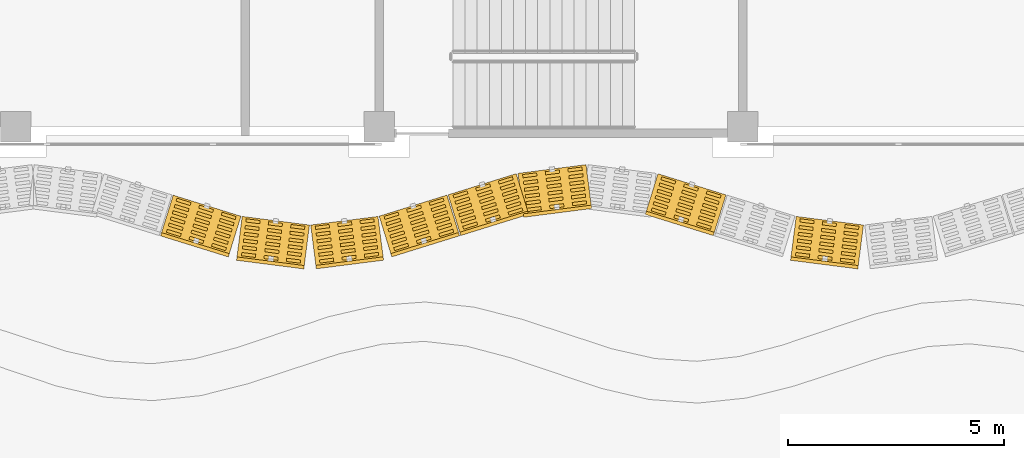
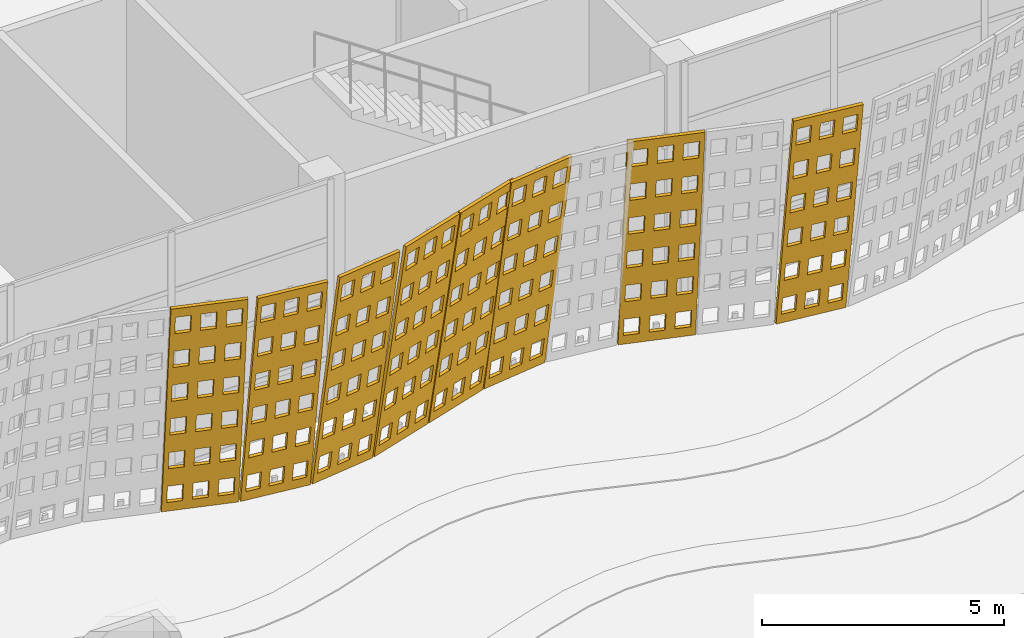
# One storey, part 168 of 210: 8 coverings.
"""IFC4 building model written with IfcOpenShell, lengths in metres."""

from ifc_helpers import new_model, si_unit, direction, frame, origin, place, context, subcontext, project, spatial, polyline, outline, extrude, material, layer, layer_set, type_object, element, save


model = new_model("IFC4")

# Units and contexts
model_context = context("Model", 3, precision=1e-05, world=origin(), true_north=direction((0.0, 1.0)))
body_context = subcontext(model_context, "Body", "Model", "MODEL_VIEW")
ifc_project = project(units=[si_unit("LENGTHUNIT", "METRE"), si_unit("AREAUNIT", "SQUARE_METRE"), si_unit("VOLUMEUNIT", "CUBIC_METRE"), si_unit("PLANEANGLEUNIT", "RADIAN"), si_unit("MASSUNIT", "GRAM", prefix="KILO")], contexts=[model_context])

# Site, building, storey
site_placement = place(None, origin())
site = spatial("IfcSite", under=ifc_project, at=site_placement, CompositionType="ELEMENT")
building_placement = place(site_placement, origin())
building = spatial("IfcBuilding", under=site, at=building_placement, Name="Rain Tree Exposition and Congress Centre", CompositionType="ELEMENT")
storey_placement = place(building_placement, origin())
storey = spatial("IfcBuildingStorey", under=building, at=storey_placement, Name="L00", CompositionType="ELEMENT", Elevation=0.0)

# Coverings
ifc_material = material(Name="Perforated terracotta", Category="masonry")
ifc_layer = layer(ifc_material, 0.080078125)
ifc_layer_set = layer_set([ifc_layer], Name="Perforated terracotta")
covering_type = type_object("IfcCoveringType", Name="Terracotta screen 80", PredefinedType="CLADDING", material=ifc_layer_set)
covering_1_placement = place(storey_placement, frame((28.800048828125, 73.949951171875, 0.0), z_axis=(0.293072736571, 0.943327870838, 0.155694891303), x_axis=(-0.954973588716, 0.296690823679, 0.0)))
element("IfcCovering", 1, at=covering_1_placement, inside=storey, type_object=covering_type, Name="concourse/screen/L00/019", PredefinedType="CLADDING", context=body_context, shape_type="SweptSolid", body=[
    extrude(outline(polyline([(-0.014892578125, 0.0), (-1.65283203125, 0.0), (-1.65283203125, 5.80859375), (-0.014892578125, 5.80859375), (-0.014892578125, 0.0)]), holes=[polyline([(-0.11865234375, 0.249755859375), (-0.11865234375, 0.71826171875), (-0.457275390625, 0.71826171875), (-0.457275390625, 0.249755859375), (-0.11865234375, 0.249755859375)]), polyline([(-0.11865234375, 1.218017578125), (-0.11865234375, 1.686279296875), (-0.457275390625, 1.686279296875), (-0.457275390625, 1.218017578125), (-0.11865234375, 1.218017578125)]), polyline([(-0.11865234375, 2.18603515625), (-0.11865234375, 2.654541015625), (-0.457275390625, 2.654541015625), (-0.457275390625, 2.18603515625), (-0.11865234375, 2.18603515625)]), polyline([(-0.11865234375, 3.154052734375), (-0.11865234375, 3.62255859375), (-0.457275390625, 3.62255859375), (-0.457275390625, 3.154052734375), (-0.11865234375, 3.154052734375)]), polyline([(-0.11865234375, 4.122314453125), (-0.11865234375, 4.5908203125), (-0.457275390625, 4.5908203125), (-0.457275390625, 4.122314453125), (-0.11865234375, 4.122314453125)]), polyline([(-0.11865234375, 5.09033203125), (-0.11865234375, 5.558837890625), (-0.457275390625, 5.558837890625), (-0.457275390625, 5.09033203125), (-0.11865234375, 5.09033203125)]), polyline([(-0.664794921875, 0.249755859375), (-0.664794921875, 0.71826171875), (-1.003173828125, 0.71826171875), (-1.003173828125, 0.249755859375), (-0.664794921875, 0.249755859375)]), polyline([(-0.664794921875, 1.218017578125), (-0.664794921875, 1.686279296875), (-1.003173828125, 1.686279296875), (-1.003173828125, 1.218017578125), (-0.664794921875, 1.218017578125)]), polyline([(-0.664794921875, 2.18603515625), (-0.664794921875, 2.654541015625), (-1.003173828125, 2.654541015625), (-1.003173828125, 2.18603515625), (-0.664794921875, 2.18603515625)]), polyline([(-0.664794921875, 3.154052734375), (-0.664794921875, 3.62255859375), (-1.003173828125, 3.62255859375), (-1.003173828125, 3.154052734375), (-0.664794921875, 3.154052734375)]), polyline([(-0.664794921875, 4.122314453125), (-0.664794921875, 4.5908203125), (-1.003173828125, 4.5908203125), (-1.003173828125, 4.122314453125), (-0.664794921875, 4.122314453125)]), polyline([(-0.664794921875, 5.09033203125), (-0.664794921875, 5.558837890625), (-1.003173828125, 5.558837890625), (-1.003173828125, 5.09033203125), (-0.664794921875, 5.09033203125)]), polyline([(-1.210693359375, 0.249755859375), (-1.210693359375, 0.71826171875), (-1.54931640625, 0.71826171875), (-1.54931640625, 0.249755859375), (-1.210693359375, 0.249755859375)]), polyline([(-1.210693359375, 1.218017578125), (-1.210693359375, 1.686279296875), (-1.54931640625, 1.686279296875), (-1.54931640625, 1.218017578125), (-1.210693359375, 1.218017578125)]), polyline([(-1.210693359375, 2.18603515625), (-1.210693359375, 2.654541015625), (-1.54931640625, 2.654541015625), (-1.54931640625, 2.18603515625), (-1.210693359375, 2.18603515625)]), polyline([(-1.210693359375, 3.154052734375), (-1.210693359375, 3.62255859375), (-1.54931640625, 3.62255859375), (-1.54931640625, 3.154052734375), (-1.210693359375, 3.154052734375)]), polyline([(-1.210693359375, 4.122314453125), (-1.210693359375, 4.5908203125), (-1.54931640625, 4.5908203125), (-1.54931640625, 4.122314453125), (-1.210693359375, 4.122314453125)]), polyline([(-1.210693359375, 5.09033203125), (-1.210693359375, 5.558837890625), (-1.54931640625, 5.558837890625), (-1.54931640625, 5.09033203125), (-1.210693359375, 5.09033203125)])]), origin(), (0.0, 0.0, 1.0), 0.080078125),
])
covering_2_placement = place(storey_placement, frame((30.39990234375, 73.455078125, 0.0), z_axis=(0.125405134464, 0.978771781185, 0.162109076259), x_axis=(-0.991891686382, 0.127086122318, 0.0)))
element("IfcCovering", 2, at=covering_2_placement, inside=storey, type_object=covering_type, Name="concourse/screen/L00/020", PredefinedType="CLADDING", context=body_context, shape_type="SweptSolid", body=[
    extrude(outline(polyline([(-0.02197265625, 0.0), (-1.587890625, 0.0), (-1.587890625, 5.813720703125), (-0.02197265625, 5.813720703125), (-0.02197265625, 0.0)]), holes=[polyline([(-0.12109375, 0.25), (-0.12109375, 0.718994140625), (-0.444580078125, 0.718994140625), (-0.444580078125, 0.25), (-0.12109375, 0.25)]), polyline([(-0.12109375, 1.218994140625), (-0.12109375, 1.687744140625), (-0.444580078125, 1.687744140625), (-0.444580078125, 1.218994140625), (-0.12109375, 1.218994140625)]), polyline([(-0.12109375, 2.18798828125), (-0.12109375, 2.65673828125), (-0.444580078125, 2.65673828125), (-0.444580078125, 2.18798828125), (-0.12109375, 2.18798828125)]), polyline([(-0.12109375, 3.156982421875), (-0.12109375, 3.625732421875), (-0.444580078125, 3.625732421875), (-0.444580078125, 3.156982421875), (-0.12109375, 3.156982421875)]), polyline([(-0.12109375, 4.125732421875), (-0.12109375, 4.594482421875), (-0.444580078125, 4.594482421875), (-0.444580078125, 4.125732421875), (-0.12109375, 4.125732421875)]), polyline([(-0.12109375, 5.0947265625), (-0.12109375, 5.563720703125), (-0.444580078125, 5.563720703125), (-0.444580078125, 5.0947265625), (-0.12109375, 5.0947265625)]), polyline([(-0.64306640625, 0.25), (-0.64306640625, 0.718994140625), (-0.966796875, 0.718994140625), (-0.966796875, 0.25), (-0.64306640625, 0.25)]), polyline([(-0.64306640625, 1.218994140625), (-0.64306640625, 1.687744140625), (-0.966796875, 1.687744140625), (-0.966796875, 1.218994140625), (-0.64306640625, 1.218994140625)]), polyline([(-0.64306640625, 2.18798828125), (-0.64306640625, 2.65673828125), (-0.966796875, 2.65673828125), (-0.966796875, 2.18798828125), (-0.64306640625, 2.18798828125)]), polyline([(-0.64306640625, 3.156982421875), (-0.64306640625, 3.625732421875), (-0.966796875, 3.625732421875), (-0.966796875, 3.156982421875), (-0.64306640625, 3.156982421875)]), polyline([(-0.64306640625, 4.125732421875), (-0.64306640625, 4.594482421875), (-0.966796875, 4.594482421875), (-0.966796875, 4.125732421875), (-0.64306640625, 4.125732421875)]), polyline([(-0.64306640625, 5.0947265625), (-0.64306640625, 5.563720703125), (-0.966796875, 5.563720703125), (-0.966796875, 5.0947265625), (-0.64306640625, 5.0947265625)]), polyline([(-1.1650390625, 0.25), (-1.1650390625, 0.718994140625), (-1.48876953125, 0.718994140625), (-1.48876953125, 0.25), (-1.1650390625, 0.25)]), polyline([(-1.1650390625, 1.218994140625), (-1.1650390625, 1.687744140625), (-1.48876953125, 1.687744140625), (-1.48876953125, 1.218994140625), (-1.1650390625, 1.218994140625)]), polyline([(-1.1650390625, 2.18798828125), (-1.1650390625, 2.65673828125), (-1.48876953125, 2.65673828125), (-1.48876953125, 2.18798828125), (-1.1650390625, 2.18798828125)]), polyline([(-1.1650390625, 3.156982421875), (-1.1650390625, 3.625732421875), (-1.48876953125, 3.625732421875), (-1.48876953125, 3.156982421875), (-1.1650390625, 3.156982421875)]), polyline([(-1.1650390625, 4.125732421875), (-1.1650390625, 4.594482421875), (-1.48876953125, 4.594482421875), (-1.48876953125, 4.125732421875), (-1.1650390625, 4.125732421875)]), polyline([(-1.1650390625, 5.0947265625), (-1.1650390625, 5.563720703125), (-1.48876953125, 5.563720703125), (-1.48876953125, 5.0947265625), (-1.1650390625, 5.0947265625)])]), origin(), (0.0, 0.0, 1.0), 0.079833984375),
])
covering_3_placement = place(storey_placement, frame((32.0, 73.25, 0.0), z_axis=(-0.125030801275, 0.978899688033, 0.161625182136), x_axis=(-0.991941518713, -0.126696580272, 0.0)))
element("IfcCovering", 3, at=covering_3_placement, inside=storey, type_object=covering_type, Name="concourse/screen/L00/021", PredefinedType="CLADDING", context=body_context, shape_type="SweptSolid", body=[
    extrude(outline(polyline([(-0.025146484375, 0.0), (-1.59130859375, 0.0), (-1.59130859375, 5.813720703125), (-0.025146484375, 5.813720703125), (-0.025146484375, 0.0)]), holes=[polyline([(-0.12451171875, 0.25), (-0.12451171875, 0.718994140625), (-0.447998046875, 0.718994140625), (-0.447998046875, 0.25), (-0.12451171875, 0.25)]), polyline([(-0.12451171875, 1.218994140625), (-0.12451171875, 1.687744140625), (-0.447998046875, 1.687744140625), (-0.447998046875, 1.218994140625), (-0.12451171875, 1.218994140625)]), polyline([(-0.12451171875, 2.18798828125), (-0.12451171875, 2.65673828125), (-0.447998046875, 2.65673828125), (-0.447998046875, 2.18798828125), (-0.12451171875, 2.18798828125)]), polyline([(-0.12451171875, 3.156982421875), (-0.12451171875, 3.625732421875), (-0.447998046875, 3.625732421875), (-0.447998046875, 3.156982421875), (-0.12451171875, 3.156982421875)]), polyline([(-0.12451171875, 4.125732421875), (-0.12451171875, 4.594482421875), (-0.447998046875, 4.594482421875), (-0.447998046875, 4.125732421875), (-0.12451171875, 4.125732421875)]), polyline([(-0.12451171875, 5.0947265625), (-0.12451171875, 5.563720703125), (-0.447998046875, 5.563720703125), (-0.447998046875, 5.0947265625), (-0.12451171875, 5.0947265625)]), polyline([(-0.646484375, 0.25), (-0.646484375, 0.718994140625), (-0.969970703125, 0.718994140625), (-0.969970703125, 0.25), (-0.646484375, 0.25)]), polyline([(-0.646484375, 1.218994140625), (-0.646484375, 1.687744140625), (-0.969970703125, 1.687744140625), (-0.969970703125, 1.218994140625), (-0.646484375, 1.218994140625)]), polyline([(-0.646484375, 2.18798828125), (-0.646484375, 2.65673828125), (-0.969970703125, 2.65673828125), (-0.969970703125, 2.18798828125), (-0.646484375, 2.18798828125)]), polyline([(-0.646484375, 3.156982421875), (-0.646484375, 3.625732421875), (-0.969970703125, 3.625732421875), (-0.969970703125, 3.156982421875), (-0.646484375, 3.156982421875)]), polyline([(-0.646484375, 4.125732421875), (-0.646484375, 4.594482421875), (-0.969970703125, 4.594482421875), (-0.969970703125, 4.125732421875), (-0.646484375, 4.125732421875)]), polyline([(-0.646484375, 5.0947265625), (-0.646484375, 5.563720703125), (-0.969970703125, 5.563720703125), (-0.969970703125, 5.0947265625), (-0.646484375, 5.0947265625)]), polyline([(-1.16845703125, 0.25), (-1.16845703125, 0.718994140625), (-1.491943359375, 0.718994140625), (-1.491943359375, 0.25), (-1.16845703125, 0.25)]), polyline([(-1.16845703125, 1.218994140625), (-1.16845703125, 1.687744140625), (-1.491943359375, 1.687744140625), (-1.491943359375, 1.218994140625), (-1.16845703125, 1.218994140625)]), polyline([(-1.16845703125, 2.18798828125), (-1.16845703125, 2.65673828125), (-1.491943359375, 2.65673828125), (-1.491943359375, 2.18798828125), (-1.16845703125, 2.18798828125)]), polyline([(-1.16845703125, 3.156982421875), (-1.16845703125, 3.625732421875), (-1.491943359375, 3.625732421875), (-1.491943359375, 3.156982421875), (-1.16845703125, 3.156982421875)]), polyline([(-1.16845703125, 4.125732421875), (-1.16845703125, 4.594482421875), (-1.491943359375, 4.594482421875), (-1.491943359375, 4.125732421875), (-1.16845703125, 4.125732421875)]), polyline([(-1.16845703125, 5.0947265625), (-1.16845703125, 5.563720703125), (-1.491943359375, 5.563720703125), (-1.491943359375, 5.0947265625), (-1.16845703125, 5.0947265625)])]), origin(), (0.0, 0.0, 1.0), 0.080078125),
])
covering_4_placement = place(storey_placement, frame((33.60009765625, 73.455078125, 0.0), z_axis=(-0.293072736571, 0.943327870838, 0.155694891303), x_axis=(-0.954973588716, -0.296690823679, 0.0)))
element("IfcCovering", 4, at=covering_4_placement, inside=storey, type_object=covering_type, Name="concourse/screen/L00/022", PredefinedType="CLADDING", context=body_context, shape_type="SweptSolid", body=[
    extrude(outline(polyline([(-0.02197265625, 0.0), (-1.659912109375, 0.0), (-1.659912109375, 5.80859375), (-0.02197265625, 5.80859375), (-0.02197265625, 0.0)]), holes=[polyline([(-0.125732421875, 0.249755859375), (-0.125732421875, 0.71826171875), (-0.464111328125, 0.71826171875), (-0.464111328125, 0.249755859375), (-0.125732421875, 0.249755859375)]), polyline([(-0.125732421875, 1.218017578125), (-0.125732421875, 1.686279296875), (-0.464111328125, 1.686279296875), (-0.464111328125, 1.218017578125), (-0.125732421875, 1.218017578125)]), polyline([(-0.125732421875, 2.18603515625), (-0.125732421875, 2.654541015625), (-0.464111328125, 2.654541015625), (-0.464111328125, 2.18603515625), (-0.125732421875, 2.18603515625)]), polyline([(-0.125732421875, 3.154052734375), (-0.125732421875, 3.62255859375), (-0.464111328125, 3.62255859375), (-0.464111328125, 3.154052734375), (-0.125732421875, 3.154052734375)]), polyline([(-0.125732421875, 4.122314453125), (-0.125732421875, 4.5908203125), (-0.464111328125, 4.5908203125), (-0.464111328125, 4.122314453125), (-0.125732421875, 4.122314453125)]), polyline([(-0.125732421875, 5.09033203125), (-0.125732421875, 5.558837890625), (-0.464111328125, 5.558837890625), (-0.464111328125, 5.09033203125), (-0.125732421875, 5.09033203125)]), polyline([(-0.671630859375, 0.249755859375), (-0.671630859375, 0.71826171875), (-1.010009765625, 0.71826171875), (-1.010009765625, 0.249755859375), (-0.671630859375, 0.249755859375)]), polyline([(-0.671630859375, 1.218017578125), (-0.671630859375, 1.686279296875), (-1.010009765625, 1.686279296875), (-1.010009765625, 1.218017578125), (-0.671630859375, 1.218017578125)]), polyline([(-0.671630859375, 2.18603515625), (-0.671630859375, 2.654541015625), (-1.010009765625, 2.654541015625), (-1.010009765625, 2.18603515625), (-0.671630859375, 2.18603515625)]), polyline([(-0.671630859375, 3.154052734375), (-0.671630859375, 3.62255859375), (-1.010009765625, 3.62255859375), (-1.010009765625, 3.154052734375), (-0.671630859375, 3.154052734375)]), polyline([(-0.671630859375, 4.122314453125), (-0.671630859375, 4.5908203125), (-1.010009765625, 4.5908203125), (-1.010009765625, 4.122314453125), (-0.671630859375, 4.122314453125)]), polyline([(-0.671630859375, 5.09033203125), (-0.671630859375, 5.558837890625), (-1.010009765625, 5.558837890625), (-1.010009765625, 5.09033203125), (-0.671630859375, 5.09033203125)]), polyline([(-1.217529296875, 0.249755859375), (-1.217529296875, 0.71826171875), (-1.55615234375, 0.71826171875), (-1.55615234375, 0.249755859375), (-1.217529296875, 0.249755859375)]), polyline([(-1.217529296875, 1.218017578125), (-1.217529296875, 1.686279296875), (-1.55615234375, 1.686279296875), (-1.55615234375, 1.218017578125), (-1.217529296875, 1.218017578125)]), polyline([(-1.217529296875, 2.18603515625), (-1.217529296875, 2.654541015625), (-1.55615234375, 2.654541015625), (-1.55615234375, 2.18603515625), (-1.217529296875, 2.18603515625)]), polyline([(-1.217529296875, 3.154052734375), (-1.217529296875, 3.62255859375), (-1.55615234375, 3.62255859375), (-1.55615234375, 3.154052734375), (-1.217529296875, 3.154052734375)]), polyline([(-1.217529296875, 4.122314453125), (-1.217529296875, 4.5908203125), (-1.55615234375, 4.5908203125), (-1.55615234375, 4.122314453125), (-1.217529296875, 4.122314453125)]), polyline([(-1.217529296875, 5.09033203125), (-1.217529296875, 5.558837890625), (-1.55615234375, 5.558837890625), (-1.55615234375, 5.09033203125), (-1.217529296875, 5.09033203125)])]), origin(), (0.0, 0.0, 1.0), 0.080078125),
])
covering_5_placement = place(storey_placement, frame((35.199951171875, 73.949951171875, 0.0), z_axis=(-0.293072736571, 0.943327870838, 0.155694891303), x_axis=(-0.954973588716, -0.296690823679, 0.0)))
element("IfcCovering", 5, at=covering_5_placement, inside=storey, type_object=covering_type, Name="concourse/screen/L00/023", PredefinedType="CLADDING", context=body_context, shape_type="SweptSolid", body=[
    extrude(outline(polyline([(-0.014892578125, 0.0), (-1.659912109375, 0.0), (-1.659912109375, 5.80859375), (-0.014892578125, 5.80859375), (-0.014892578125, 0.0)]), holes=[polyline([(-0.119140625, 0.249755859375), (-0.119140625, 0.71826171875), (-0.458984375, 0.71826171875), (-0.458984375, 0.249755859375), (-0.119140625, 0.249755859375)]), polyline([(-0.119140625, 1.218017578125), (-0.119140625, 1.686279296875), (-0.458984375, 1.686279296875), (-0.458984375, 1.218017578125), (-0.119140625, 1.218017578125)]), polyline([(-0.119140625, 2.18603515625), (-0.119140625, 2.654541015625), (-0.458984375, 2.654541015625), (-0.458984375, 2.18603515625), (-0.119140625, 2.18603515625)]), polyline([(-0.119140625, 3.154052734375), (-0.119140625, 3.62255859375), (-0.458984375, 3.62255859375), (-0.458984375, 3.154052734375), (-0.119140625, 3.154052734375)]), polyline([(-0.119140625, 4.122314453125), (-0.119140625, 4.5908203125), (-0.458984375, 4.5908203125), (-0.458984375, 4.122314453125), (-0.119140625, 4.122314453125)]), polyline([(-0.119140625, 5.09033203125), (-0.119140625, 5.558837890625), (-0.458984375, 5.558837890625), (-0.458984375, 5.09033203125), (-0.119140625, 5.09033203125)]), polyline([(-0.66748046875, 0.249755859375), (-0.66748046875, 0.71826171875), (-1.00732421875, 0.71826171875), (-1.00732421875, 0.249755859375), (-0.66748046875, 0.249755859375)]), polyline([(-0.66748046875, 1.218017578125), (-0.66748046875, 1.686279296875), (-1.00732421875, 1.686279296875), (-1.00732421875, 1.218017578125), (-0.66748046875, 1.218017578125)]), polyline([(-0.66748046875, 2.18603515625), (-0.66748046875, 2.654541015625), (-1.00732421875, 2.654541015625), (-1.00732421875, 2.18603515625), (-0.66748046875, 2.18603515625)]), polyline([(-0.66748046875, 3.154052734375), (-0.66748046875, 3.62255859375), (-1.00732421875, 3.62255859375), (-1.00732421875, 3.154052734375), (-0.66748046875, 3.154052734375)]), polyline([(-0.66748046875, 4.122314453125), (-0.66748046875, 4.5908203125), (-1.00732421875, 4.5908203125), (-1.00732421875, 4.122314453125), (-0.66748046875, 4.122314453125)]), polyline([(-0.66748046875, 5.09033203125), (-0.66748046875, 5.558837890625), (-1.00732421875, 5.558837890625), (-1.00732421875, 5.09033203125), (-0.66748046875, 5.09033203125)]), polyline([(-1.2158203125, 0.249755859375), (-1.2158203125, 0.71826171875), (-1.5556640625, 0.71826171875), (-1.5556640625, 0.249755859375), (-1.2158203125, 0.249755859375)]), polyline([(-1.2158203125, 1.218017578125), (-1.2158203125, 1.686279296875), (-1.5556640625, 1.686279296875), (-1.5556640625, 1.218017578125), (-1.2158203125, 1.218017578125)]), polyline([(-1.2158203125, 2.18603515625), (-1.2158203125, 2.654541015625), (-1.5556640625, 2.654541015625), (-1.5556640625, 2.18603515625), (-1.2158203125, 2.18603515625)]), polyline([(-1.2158203125, 3.154052734375), (-1.2158203125, 3.62255859375), (-1.5556640625, 3.62255859375), (-1.5556640625, 3.154052734375), (-1.2158203125, 3.154052734375)]), polyline([(-1.2158203125, 4.122314453125), (-1.2158203125, 4.5908203125), (-1.5556640625, 4.5908203125), (-1.5556640625, 4.122314453125), (-1.2158203125, 4.122314453125)]), polyline([(-1.2158203125, 5.09033203125), (-1.2158203125, 5.558837890625), (-1.5556640625, 5.558837890625), (-1.5556640625, 5.09033203125), (-1.2158203125, 5.09033203125)])]), origin(), (0.0, 0.0, 1.0), 0.080078125),
])
covering_6_placement = place(storey_placement, frame((36.800048828125, 74.445068359375, 0.0), z_axis=(-0.125405134464, 0.978771781185, 0.162109076259), x_axis=(-0.991891686382, -0.127086122318, 0.0)))
element("IfcCovering", 6, at=covering_6_placement, inside=storey, type_object=covering_type, Name="concourse/screen/L00/024", PredefinedType="CLADDING", context=body_context, shape_type="SweptSolid", body=[
    extrude(outline(polyline([(-0.014892578125, 0.0), (-1.59814453125, 0.0), (-1.59814453125, 5.813720703125), (-0.014892578125, 5.813720703125), (-0.014892578125, 0.0)]), holes=[polyline([(-0.115234375, 0.25), (-0.115234375, 0.718994140625), (-0.4423828125, 0.718994140625), (-0.4423828125, 0.25), (-0.115234375, 0.25)]), polyline([(-0.115234375, 1.218994140625), (-0.115234375, 1.687744140625), (-0.4423828125, 1.687744140625), (-0.4423828125, 1.218994140625), (-0.115234375, 1.218994140625)]), polyline([(-0.115234375, 2.18798828125), (-0.115234375, 2.65673828125), (-0.4423828125, 2.65673828125), (-0.4423828125, 2.18798828125), (-0.115234375, 2.18798828125)]), polyline([(-0.115234375, 3.156982421875), (-0.115234375, 3.625732421875), (-0.4423828125, 3.625732421875), (-0.4423828125, 3.156982421875), (-0.115234375, 3.156982421875)]), polyline([(-0.115234375, 4.125732421875), (-0.115234375, 4.594482421875), (-0.4423828125, 4.594482421875), (-0.4423828125, 4.125732421875), (-0.115234375, 4.125732421875)]), polyline([(-0.115234375, 5.0947265625), (-0.115234375, 5.563720703125), (-0.4423828125, 5.563720703125), (-0.4423828125, 5.0947265625), (-0.115234375, 5.0947265625)]), polyline([(-0.64306640625, 0.25), (-0.64306640625, 0.718994140625), (-0.97021484375, 0.718994140625), (-0.97021484375, 0.25), (-0.64306640625, 0.25)]), polyline([(-0.64306640625, 1.218994140625), (-0.64306640625, 1.687744140625), (-0.97021484375, 1.687744140625), (-0.97021484375, 1.218994140625), (-0.64306640625, 1.218994140625)]), polyline([(-0.64306640625, 2.18798828125), (-0.64306640625, 2.65673828125), (-0.97021484375, 2.65673828125), (-0.97021484375, 2.18798828125), (-0.64306640625, 2.18798828125)]), polyline([(-0.64306640625, 3.156982421875), (-0.64306640625, 3.625732421875), (-0.97021484375, 3.625732421875), (-0.97021484375, 3.156982421875), (-0.64306640625, 3.156982421875)]), polyline([(-0.64306640625, 4.125732421875), (-0.64306640625, 4.594482421875), (-0.97021484375, 4.594482421875), (-0.97021484375, 4.125732421875), (-0.64306640625, 4.125732421875)]), polyline([(-0.64306640625, 5.0947265625), (-0.64306640625, 5.563720703125), (-0.97021484375, 5.563720703125), (-0.97021484375, 5.0947265625), (-0.64306640625, 5.0947265625)]), polyline([(-1.170654296875, 0.25), (-1.170654296875, 0.718994140625), (-1.497802734375, 0.718994140625), (-1.497802734375, 0.25), (-1.170654296875, 0.25)]), polyline([(-1.170654296875, 1.218994140625), (-1.170654296875, 1.687744140625), (-1.497802734375, 1.687744140625), (-1.497802734375, 1.218994140625), (-1.170654296875, 1.218994140625)]), polyline([(-1.170654296875, 2.18798828125), (-1.170654296875, 2.65673828125), (-1.497802734375, 2.65673828125), (-1.497802734375, 2.18798828125), (-1.170654296875, 2.18798828125)]), polyline([(-1.170654296875, 3.156982421875), (-1.170654296875, 3.625732421875), (-1.497802734375, 3.625732421875), (-1.497802734375, 3.156982421875), (-1.170654296875, 3.156982421875)]), polyline([(-1.170654296875, 4.125732421875), (-1.170654296875, 4.594482421875), (-1.497802734375, 4.594482421875), (-1.497802734375, 4.125732421875), (-1.170654296875, 4.125732421875)]), polyline([(-1.170654296875, 5.0947265625), (-1.170654296875, 5.563720703125), (-1.497802734375, 5.563720703125), (-1.497802734375, 5.0947265625), (-1.170654296875, 5.0947265625)])]), origin(), (0.0, 0.0, 1.0), 0.079833984375),
])
covering_7_placement = place(storey_placement, frame((40.0, 74.445068359375, 0.0), z_axis=(0.293072736571, 0.943327870838, 0.155694891303), x_axis=(-0.954973588716, 0.296690823679, 0.0)))
element("IfcCovering", 7, at=covering_7_placement, inside=storey, type_object=covering_type, Name="concourse/screen/L00/026", PredefinedType="CLADDING", context=body_context, shape_type="SweptSolid", body=[
    extrude(outline(polyline([(-0.014892578125, 0.0), (-1.659912109375, 0.0), (-1.659912109375, 5.80859375), (-0.014892578125, 5.80859375), (-0.014892578125, 0.0)]), holes=[polyline([(-0.119140625, 0.249755859375), (-0.119140625, 0.71826171875), (-0.458984375, 0.71826171875), (-0.458984375, 0.249755859375), (-0.119140625, 0.249755859375)]), polyline([(-0.119140625, 1.218017578125), (-0.119140625, 1.686279296875), (-0.458984375, 1.686279296875), (-0.458984375, 1.218017578125), (-0.119140625, 1.218017578125)]), polyline([(-0.119140625, 2.18603515625), (-0.119140625, 2.654541015625), (-0.458984375, 2.654541015625), (-0.458984375, 2.18603515625), (-0.119140625, 2.18603515625)]), polyline([(-0.119140625, 3.154052734375), (-0.119140625, 3.62255859375), (-0.458984375, 3.62255859375), (-0.458984375, 3.154052734375), (-0.119140625, 3.154052734375)]), polyline([(-0.119140625, 4.122314453125), (-0.119140625, 4.5908203125), (-0.458984375, 4.5908203125), (-0.458984375, 4.122314453125), (-0.119140625, 4.122314453125)]), polyline([(-0.119140625, 5.09033203125), (-0.119140625, 5.558837890625), (-0.458984375, 5.558837890625), (-0.458984375, 5.09033203125), (-0.119140625, 5.09033203125)]), polyline([(-0.66748046875, 0.249755859375), (-0.66748046875, 0.71826171875), (-1.00732421875, 0.71826171875), (-1.00732421875, 0.249755859375), (-0.66748046875, 0.249755859375)]), polyline([(-0.66748046875, 1.218017578125), (-0.66748046875, 1.686279296875), (-1.00732421875, 1.686279296875), (-1.00732421875, 1.218017578125), (-0.66748046875, 1.218017578125)]), polyline([(-0.66748046875, 2.18603515625), (-0.66748046875, 2.654541015625), (-1.00732421875, 2.654541015625), (-1.00732421875, 2.18603515625), (-0.66748046875, 2.18603515625)]), polyline([(-0.66748046875, 3.154052734375), (-0.66748046875, 3.62255859375), (-1.00732421875, 3.62255859375), (-1.00732421875, 3.154052734375), (-0.66748046875, 3.154052734375)]), polyline([(-0.66748046875, 4.122314453125), (-0.66748046875, 4.5908203125), (-1.00732421875, 4.5908203125), (-1.00732421875, 4.122314453125), (-0.66748046875, 4.122314453125)]), polyline([(-0.66748046875, 5.09033203125), (-0.66748046875, 5.558837890625), (-1.00732421875, 5.558837890625), (-1.00732421875, 5.09033203125), (-0.66748046875, 5.09033203125)]), polyline([(-1.2158203125, 0.249755859375), (-1.2158203125, 0.71826171875), (-1.5556640625, 0.71826171875), (-1.5556640625, 0.249755859375), (-1.2158203125, 0.249755859375)]), polyline([(-1.2158203125, 1.218017578125), (-1.2158203125, 1.686279296875), (-1.5556640625, 1.686279296875), (-1.5556640625, 1.218017578125), (-1.2158203125, 1.218017578125)]), polyline([(-1.2158203125, 2.18603515625), (-1.2158203125, 2.654541015625), (-1.5556640625, 2.654541015625), (-1.5556640625, 2.18603515625), (-1.2158203125, 2.18603515625)]), polyline([(-1.2158203125, 3.154052734375), (-1.2158203125, 3.62255859375), (-1.5556640625, 3.62255859375), (-1.5556640625, 3.154052734375), (-1.2158203125, 3.154052734375)]), polyline([(-1.2158203125, 4.122314453125), (-1.2158203125, 4.5908203125), (-1.5556640625, 4.5908203125), (-1.5556640625, 4.122314453125), (-1.2158203125, 4.122314453125)]), polyline([(-1.2158203125, 5.09033203125), (-1.2158203125, 5.558837890625), (-1.5556640625, 5.558837890625), (-1.5556640625, 5.09033203125), (-1.2158203125, 5.09033203125)])]), origin(), (0.0, 0.0, 1.0), 0.080078125),
])
covering_8_placement = place(storey_placement, frame((43.199951171875, 73.455078125, 0.0), z_axis=(0.125405134464, 0.978771781185, 0.162109076259), x_axis=(-0.991891686382, 0.127086122318, 0.0)))
element("IfcCovering", 8, at=covering_8_placement, inside=storey, type_object=covering_type, Name="concourse/screen/L00/028", PredefinedType="CLADDING", context=body_context, shape_type="SweptSolid", body=[
    extrude(outline(polyline([(-0.02197265625, 0.0), (-1.587890625, 0.0), (-1.587890625, 5.813720703125), (-0.02197265625, 5.813720703125), (-0.02197265625, 0.0)]), holes=[polyline([(-0.12109375, 0.25), (-0.12109375, 0.718994140625), (-0.444580078125, 0.718994140625), (-0.444580078125, 0.25), (-0.12109375, 0.25)]), polyline([(-0.12109375, 1.218994140625), (-0.12109375, 1.687744140625), (-0.444580078125, 1.687744140625), (-0.444580078125, 1.218994140625), (-0.12109375, 1.218994140625)]), polyline([(-0.12109375, 2.18798828125), (-0.12109375, 2.65673828125), (-0.444580078125, 2.65673828125), (-0.444580078125, 2.18798828125), (-0.12109375, 2.18798828125)]), polyline([(-0.12109375, 3.156982421875), (-0.12109375, 3.625732421875), (-0.444580078125, 3.625732421875), (-0.444580078125, 3.156982421875), (-0.12109375, 3.156982421875)]), polyline([(-0.12109375, 4.125732421875), (-0.12109375, 4.594482421875), (-0.444580078125, 4.594482421875), (-0.444580078125, 4.125732421875), (-0.12109375, 4.125732421875)]), polyline([(-0.12109375, 5.0947265625), (-0.12109375, 5.563720703125), (-0.444580078125, 5.563720703125), (-0.444580078125, 5.0947265625), (-0.12109375, 5.0947265625)]), polyline([(-0.64306640625, 0.25), (-0.64306640625, 0.718994140625), (-0.966796875, 0.718994140625), (-0.966796875, 0.25), (-0.64306640625, 0.25)]), polyline([(-0.64306640625, 1.218994140625), (-0.64306640625, 1.687744140625), (-0.966796875, 1.687744140625), (-0.966796875, 1.218994140625), (-0.64306640625, 1.218994140625)]), polyline([(-0.64306640625, 2.18798828125), (-0.64306640625, 2.65673828125), (-0.966796875, 2.65673828125), (-0.966796875, 2.18798828125), (-0.64306640625, 2.18798828125)]), polyline([(-0.64306640625, 3.156982421875), (-0.64306640625, 3.625732421875), (-0.966796875, 3.625732421875), (-0.966796875, 3.156982421875), (-0.64306640625, 3.156982421875)]), polyline([(-0.64306640625, 4.125732421875), (-0.64306640625, 4.594482421875), (-0.966796875, 4.594482421875), (-0.966796875, 4.125732421875), (-0.64306640625, 4.125732421875)]), polyline([(-0.64306640625, 5.0947265625), (-0.64306640625, 5.563720703125), (-0.966796875, 5.563720703125), (-0.966796875, 5.0947265625), (-0.64306640625, 5.0947265625)]), polyline([(-1.1650390625, 0.25), (-1.1650390625, 0.718994140625), (-1.48876953125, 0.718994140625), (-1.48876953125, 0.25), (-1.1650390625, 0.25)]), polyline([(-1.1650390625, 1.218994140625), (-1.1650390625, 1.687744140625), (-1.48876953125, 1.687744140625), (-1.48876953125, 1.218994140625), (-1.1650390625, 1.218994140625)]), polyline([(-1.1650390625, 2.18798828125), (-1.1650390625, 2.65673828125), (-1.48876953125, 2.65673828125), (-1.48876953125, 2.18798828125), (-1.1650390625, 2.18798828125)]), polyline([(-1.1650390625, 3.156982421875), (-1.1650390625, 3.625732421875), (-1.48876953125, 3.625732421875), (-1.48876953125, 3.156982421875), (-1.1650390625, 3.156982421875)]), polyline([(-1.1650390625, 4.125732421875), (-1.1650390625, 4.594482421875), (-1.48876953125, 4.594482421875), (-1.48876953125, 4.125732421875), (-1.1650390625, 4.125732421875)]), polyline([(-1.1650390625, 5.0947265625), (-1.1650390625, 5.563720703125), (-1.48876953125, 5.563720703125), (-1.48876953125, 5.0947265625), (-1.1650390625, 5.0947265625)])]), origin(), (0.0, 0.0, 1.0), 0.079833984375),
])

save(model, "model.ifc")
